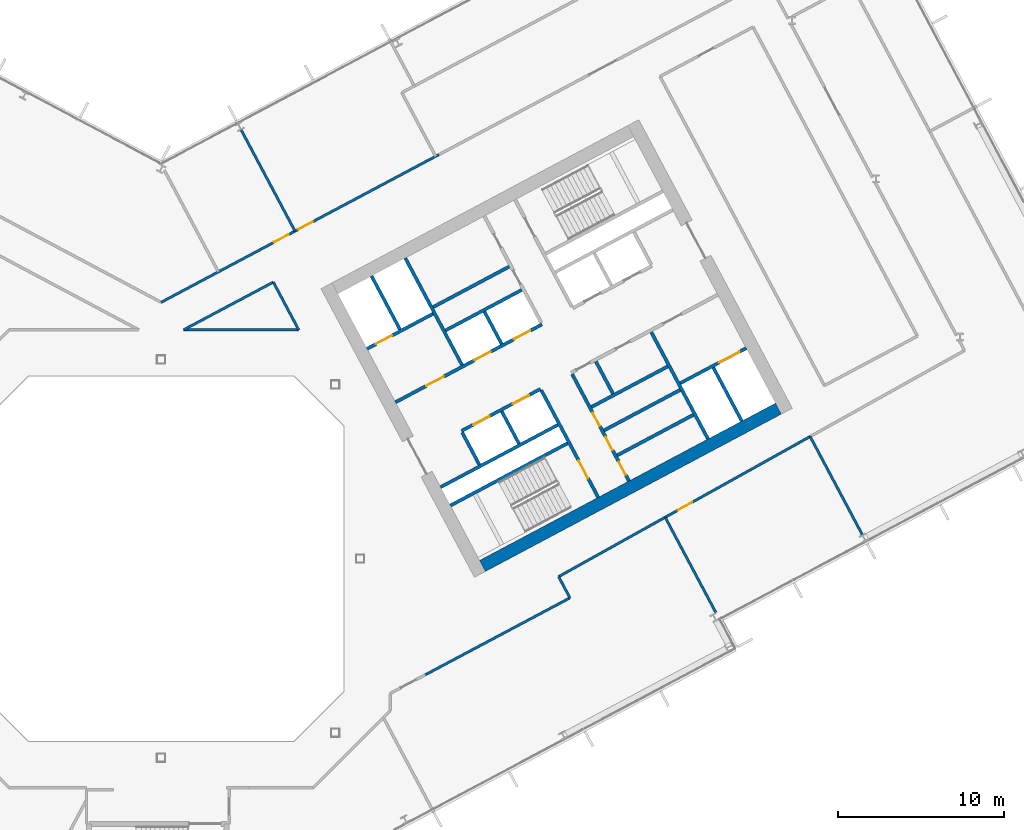
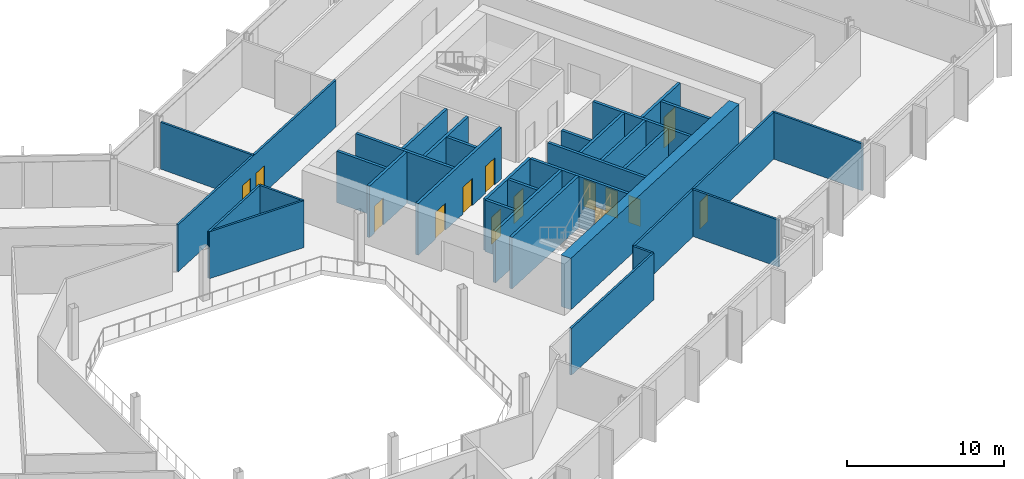
# One storey, part 16 of 28: 32 walls, 14 doors, 14 openings.
"""IFC4 building model written with IfcOpenShell, lengths in metres."""

import ifcopenshell
import ifcopenshell.guid

model = None  # the IFC model being written
_history = None  # IfcOwnerHistory: only IFC2X3 demands one
_inside = {}  # id of a spatial element -> (the spatial element, [elements in it])
_under = {}  # id of a project, library or spatial element -> (it, [spatial elements below it])
_declared = {}  # id of a project -> (the project, [libraries it declares])
_typed = {}  # id of a type object -> (the type object, [elements of that type])
_made_of = {}  # id of a material, layer set ... -> (it, [elements and type objects made of it])


def new_model(schema):
    """Start an empty IFC model of exactly this schema.

    Asked for "IFC4X3", IfcOpenShell would pick the latest addendum, in which some entities
    have other attributes; the version numbers below select the first issue.
    IFC2X3 requires an IfcOwnerHistory on every rooted entity: one is made here for all.
    """
    global model, _history
    if schema == "IFC4X3":
        model = ifcopenshell.file(schema_version=(4, 3, 0, 0))
    else:
        model = ifcopenshell.file(schema=schema)
    _inside.clear()
    _under.clear()
    _declared.clear()
    _typed.clear()
    _made_of.clear()
    _history = None
    if model.schema == "IFC2X3":
        org = make("IfcOrganization", Name="unknown")
        user = make(
            "IfcPersonAndOrganization",
            ThePerson=make("IfcPerson", FamilyName="unknown"),
            TheOrganization=org,
        )
        app = make(
            "IfcApplication",
            ApplicationDeveloper=org,
            Version="unknown",
            ApplicationFullName="unknown",
            ApplicationIdentifier="unknown",
        )
        _history = make(
            "IfcOwnerHistory",
            OwningUser=user,
            OwningApplication=app,
            ChangeAction="ADDED",
            CreationDate=0,
        )
    return model


def make(cls, **values):
    """One entity of the class cls with the attributes given. An attribute that is None is left unset."""
    return model.create_entity(
        cls, **{name: value for name, value in values.items() if value is not None}
    )


def rooted(cls, **values):
    """An entity with a GlobalId (a new one), such as an element, a storey or a relation."""
    return make(cls, GlobalId=ifcopenshell.guid.new(), OwnerHistory=_history, **values)


def si_unit(unit_type, name, prefix=None):
    """IfcSIUnit, for example si_unit("LENGTHUNIT", "METRE", prefix="MILLI")."""
    return make("IfcSIUnit", UnitType=unit_type, Prefix=prefix, Name=name)


def assignment(units):
    """IfcUnitAssignment: the units of a project."""
    return None if units is None else make("IfcUnitAssignment", Units=units)


def point(xyz):
    """IfcCartesianPoint."""
    return None if xyz is None else make("IfcCartesianPoint", Coordinates=xyz)


def direction(xyz):
    """IfcDirection."""
    return None if xyz is None else make("IfcDirection", DirectionRatios=xyz)


def frame(location, z_axis=None, x_axis=None):
    """IfcAxis2Placement3D, a coordinate frame: its origin and axes. An axis left out is left unset."""
    return make(
        "IfcAxis2Placement3D",
        Location=point(location),
        Axis=direction(z_axis),
        RefDirection=direction(x_axis),
    )


def frame_2d(location, x_axis=None):
    """IfcAxis2Placement2D, a coordinate frame in the plane: its origin and x axis."""
    return make(
        "IfcAxis2Placement2D", Location=point(location), RefDirection=direction(x_axis)
    )


def origin():
    """The frame at (0, 0, 0) with its axes left unset."""
    return frame((0.0, 0.0, 0.0))


def place(relative_to, where):
    """IfcLocalPlacement: puts the frame where relative to a parent placement (None: the world)."""
    return make(
        "IfcLocalPlacement", PlacementRelTo=relative_to, RelativePlacement=where
    )


def context(
    kind, dimensions, precision=None, world=None, true_north=None, identifier=None
):
    """IfcGeometricRepresentationContext, for example the 3D "Model" context."""
    return make(
        "IfcGeometricRepresentationContext",
        ContextIdentifier=identifier,
        ContextType=kind,
        CoordinateSpaceDimension=dimensions,
        Precision=precision,
        WorldCoordinateSystem=world,
        TrueNorth=true_north,
    )


def subcontext(parent, identifier, kind, view, scale=None):
    """IfcGeometricRepresentationSubContext, for example "Body" below "Model"."""
    return make(
        "IfcGeometricRepresentationSubContext",
        ContextIdentifier=identifier,
        ContextType=kind,
        ParentContext=parent,
        TargetScale=scale,
        TargetView=view,
    )


def project(units=None, contexts=None):
    """IfcProject with its units and contexts."""
    return rooted(
        "IfcProject",
        Name="project",
        RepresentationContexts=contexts,
        UnitsInContext=assignment(units),
    )


def spatial(cls, under=None, at=None, **own):
    """A site, building, storey or space (cls), placed at a placement, below another one or the project."""
    s = rooted(cls, ObjectPlacement=at, **own)
    if under is not None:
        _under.setdefault(under.id(), (under, []))[1].append(s)
    return s


def profile(cls, at=None, kind="AREA", **sizes):
    """A parametric profile (cls). Its sizes go by their IFC names, for example OverallWidth=200.0."""
    return make(cls, ProfileType=kind, Position=at, **sizes)


def rectangle(**sizes):
    """IfcRectangleProfileDef."""
    return profile("IfcRectangleProfileDef", **sizes)


def extrude(swept, where, along, depth):
    """IfcExtrudedAreaSolid: the profile swept, set in the frame where, extruded along a direction by depth."""
    return make(
        "IfcExtrudedAreaSolid",
        SweptArea=swept,
        Position=where,
        ExtrudedDirection=direction(along),
        Depth=depth,
    )


def shape(context_of_items, identifier, shape_type, items):
    """IfcShapeRepresentation: the items that make up one representation, for example the "Body"."""
    return make(
        "IfcShapeRepresentation",
        ContextOfItems=context_of_items,
        RepresentationIdentifier=identifier,
        RepresentationType=shape_type,
        Items=items,
    )


def material(Name=None, Category=None):
    """IfcMaterial."""
    return make("IfcMaterial", Name=Name, Category=Category)


def layer(
    of_material, thickness, ventilated=None, Name=None, Category=None, Priority=None
):
    """IfcMaterialLayer: one layer of a wall or slab, of a material (None: an air gap)."""
    return make(
        "IfcMaterialLayer",
        Material=of_material,
        LayerThickness=thickness,
        IsVentilated=ventilated,
        Name=Name,
        Category=Category,
        Priority=Priority,
    )


def layer_set(layers, Name=None):
    """IfcMaterialLayerSet."""
    return make("IfcMaterialLayerSet", MaterialLayers=layers, LayerSetName=Name)


def made_of(thing, what):
    """Note that an element or type object is made of a material, layer set ...; save() writes the relation."""
    if what is not None:
        _made_of.setdefault(what.id(), (what, []))[1].append(thing)
    return thing


def type_object(cls, material=None, **own):
    """A type object (cls), such as IfcWallType, which elements share."""
    return made_of(rooted(cls, **own), material)


def element(
    cls,
    number,
    at=None,
    inside=None,
    cuts=None,
    type_object=None,
    material=None,
    context=None,
    identifier="Body",
    shape_type=None,
    held_by="IfcProductDefinitionShape",
    body=None,
    shapes=None,
    **own,
):
    """One element of the class cls, such as IfcWall. Its Tag is "e" and its number.

    at: its placement. inside: the storey or other place that contains it. cuts: it is an
    opening in that element (IfcRelVoidsElement). A single representation is given by context,
    identifier, shape_type and body (its items); several are given by shapes. held_by: the class
    of the entity that holds the representations. save() writes the other relations.
    """
    e = rooted(cls, Tag="e%d" % number, ObjectPlacement=at, **own)
    if body is not None:
        shapes = [shape(context, identifier, shape_type, body)]
    if shapes is not None:
        e.Representation = make(held_by, Representations=shapes)
    if inside is not None:
        _inside.setdefault(inside.id(), (inside, []))[1].append(e)
    if cuts is not None:
        rooted(
            "IfcRelVoidsElement", RelatingBuildingElement=cuts, RelatedOpeningElement=e
        )
    if type_object is not None:
        _typed.setdefault(type_object.id(), (type_object, []))[1].append(e)
    return made_of(e, material)


def fill(opening, filler):
    """IfcRelFillsElement: the door or window that sits in an opening."""
    return rooted(
        "IfcRelFillsElement",
        RelatingOpeningElement=opening,
        RelatedBuildingElement=filler,
    )


def aggregate(whole, parts):
    """IfcRelAggregates: a whole, such as a stair, and the parts it consists of."""
    return rooted("IfcRelAggregates", RelatingObject=whole, RelatedObjects=parts)


def save(model, path):
    """Write the relations noted so far, then the file.

    IfcRelAggregates (storeys below a building ...), IfcRelContainedInSpatialStructure (elements
    in a storey), IfcRelDefinesByType, IfcRelAssociatesMaterial and IfcRelDeclares: one each for
    every whole, place, type object, material and project.
    """
    for whole, parts in _under.values():
        aggregate(whole, parts)
    for where, things in _inside.values():
        rooted(
            "IfcRelContainedInSpatialStructure",
            RelatedElements=things,
            RelatingStructure=where,
        )
    for kind, things in _typed.values():
        rooted("IfcRelDefinesByType", RelatedObjects=things, RelatingType=kind)
    for what, things in _made_of.values():
        rooted("IfcRelAssociatesMaterial", RelatedObjects=things, RelatingMaterial=what)
    for by, libraries in _declared.values():
        rooted("IfcRelDeclares", RelatingContext=by, RelatedDefinitions=libraries)
    model.write(path)


model = new_model("IFC4")

# Units and contexts
model_context = context("Model", 3, precision=1e-05, world=origin(), true_north=direction((0.0, 1.0)))
body_context = subcontext(model_context, "Body", "Model", "MODEL_VIEW")
ifc_project = project(units=[si_unit("LENGTHUNIT", "METRE"), si_unit("AREAUNIT", "SQUARE_METRE"), si_unit("VOLUMEUNIT", "CUBIC_METRE"), si_unit("PLANEANGLEUNIT", "RADIAN"), si_unit("MASSUNIT", "GRAM", prefix="KILO")], contexts=[model_context])

# Site, building, storey
site_placement = place(None, origin())
site = spatial("IfcSite", under=ifc_project, at=site_placement, CompositionType="ELEMENT")
building_placement = place(site_placement, origin())
building = spatial("IfcBuilding", under=site, at=building_placement, Name="Cormorant Relay Tower", CompositionType="ELEMENT")
storey_placement = place(building_placement, frame((0.0, 0.0, 126.199951171875)))
storey = spatial("IfcBuildingStorey", under=building, at=storey_placement, Name="L25", CompositionType="ELEMENT", Elevation=126.199951171875)

# Walls
ifc_material_1 = material(Name="Concrete 40 MPa", Category="concrete")
ifc_layer_1 = layer(ifc_material_1, 0.199951171875)
ifc_layer_set_1 = layer_set([ifc_layer_1], Name="Core internal wall 200")
wall_type_1 = type_object("IfcWallType", Name="Core internal wall 200", PredefinedType="SOLIDWALL", material=ifc_layer_set_1)
for number, where, z_axis, x_axis, name in (
    (1, (21.567626953125, 6.9375, 0.0), (0.0, 0.0, 1.0), (-0.469533832133, 0.882914480843, 0.0), "L25 core B shaft and room wall"),
    (2, (20.522216796875, 12.950439453125, 0.0), (0.0, 0.0, 1.0), (-0.469401318492, 0.882984938828, 0.0), "L25 core B shaft and room wall"),
    (3, (27.236083984375, 9.951416015625, 0.0), (0.0, 0.0, 1.0), (-0.4694473164, 0.882960484464, 0.0), "L25 core B shaft and room wall"),
):
    element("IfcWall", number, at=place(storey_placement, frame(where, z_axis=z_axis, x_axis=x_axis)), inside=storey, type_object=wall_type_1, Name=name, PredefinedType="SOLIDWALL", context=body_context, shape_type="SweptSolid", body=[
        extrude(rectangle(XDim=2.199951171875, YDim=0.199951171875, at=frame_2d((1.10009765625, 0.0))), origin(), (0.0, 0.0, 1.0), 4.0),
    ])
for number, where, z_axis, x_axis, name in (
    (4, (27.490234375, 6.23583984375, 0.0), (0.0, 0.0, 1.0), (0.882953967957, 0.469459572775, 0.0), "L25 core B shaft and room wall"),
    (5, (26.692138671875, 7.73681640625, 0.0), (0.0, 0.0, 1.0), (0.882953967957, 0.469459572775, 0.0), "L25 core B shaft and room wall"),
    (6, (16.395751953125, 15.17333984375, 0.0), (0.0, 0.0, 1.0), (0.882934506056, 0.469496174655, 0.0), "L25 core B shaft and room wall"),
):
    element("IfcWall", number, at=place(storey_placement, frame(where, z_axis=z_axis, x_axis=x_axis)), inside=storey, type_object=wall_type_1, Name=name, PredefinedType="SOLIDWALL", context=body_context, shape_type="SweptSolid", body=[
        extrude(rectangle(XDim=5.199951171875, YDim=0.199951171875, at=frame_2d((2.60009765625, 0.0))), origin(), (0.0, 0.0, 1.0), 4.0),
    ])
ifc_material_2 = material(Name="Concrete 50 MPa", Category="concrete")
ifc_layer_2 = layer(ifc_material_2, 0.199951171875)
ifc_layer_set_2 = layer_set([ifc_layer_2], Name="Core shaft wall 200")
wall_type_2 = type_object("IfcWallType", Name="Core shaft wall 200", PredefinedType="SHEAR", material=ifc_layer_set_2)
wall_1_placement = place(storey_placement, frame((14.39404296875, 13.825927734375, 0.0), z_axis=(0.0, 0.0, 1.0), x_axis=(-0.469494272526, 0.882935517501, 0.0)))
element("IfcWall", 7, at=wall_1_placement, inside=storey, type_object=wall_type_2, Name="L25 core B shaft wall", PredefinedType="SHEAR", context=body_context, shape_type="SweptSolid", body=[
    extrude(rectangle(XDim=3.64990234375, YDim=0.199951171875, at=frame_2d((1.824951171875, 0.0))), origin(), (0.0, 0.0, 1.0), 4.0),
])
wall_2_placement = place(storey_placement, frame((19.18359375, 5.669921875, 0.0), z_axis=(0.0, 0.0, 1.0), x_axis=(-0.4694473164, 0.882960484464, 0.0)))
element("IfcWall", 8, at=wall_2_placement, inside=storey, type_object=wall_type_2, Name="L25 core B shaft wall", PredefinedType="SHEAR", context=body_context, shape_type="SweptSolid", body=[
    extrude(rectangle(XDim=2.199951171875, YDim=0.199951171875, at=frame_2d((1.10009765625, 0.0))), origin(), (0.0, 0.0, 1.0), 4.0),
])
wall_3_placement = place(storey_placement, frame((18.138427734375, 11.682861328125, 0.0), z_axis=(0.0, 0.0, 1.0), x_axis=(-0.469480409012, 0.88294288918, 0.0)))
element("IfcWall", 9, at=wall_3_placement, inside=storey, type_object=wall_type_2, Name="L25 core B shaft wall", PredefinedType="SHEAR", context=body_context, shape_type="SweptSolid", body=[
    extrude(rectangle(XDim=7.300048828125, YDim=0.199951171875, at=frame_2d((3.64990234375, 0.0))), origin(), (0.0, 0.0, 1.0), 4.0),
])

# Wall, opening, door
wall_4_placement = place(storey_placement, frame((26.345947265625, 3.701904296875, 0.0), z_axis=(0.0, 0.0, 1.0), x_axis=(-0.469480409012, 0.88294288918, 0.0)))
wall_4 = element("IfcWall", 10, at=wall_4_placement, inside=storey, type_object=wall_type_2, Name="L25 core B shaft wall", PredefinedType="SHEAR", context=body_context, shape_type="SweptSolid", body=[
    extrude(rectangle(XDim=7.300048828125, YDim=0.199951171875, at=frame_2d((3.64990234375, 0.0))), origin(), (0.0, 0.0, 1.0), 4.0),
])
opening_1_placement = place(wall_4_placement, frame((1.300048828125, 0.0, 0.0)))
opening_1 = element("IfcOpeningElement", 11, at=opening_1_placement, cuts=wall_4, Name="Opening CDB-036", PredefinedType="OPENING", context=body_context, shape_type="SweptSolid", body=[
    extrude(rectangle(XDim=1.199951171875, YDim=2.10009765625, at=frame_2d((0.60009765625, 1.050048828125))), frame((0.0, 0.10986328125, 0.0), z_axis=(0.0, -1.0, 0.0), x_axis=(1.0, 0.0, 0.0)), (0.0, 0.0, 1.0), 0.219970703125),
])
ifc_material_3 = material(Name="Steel fire door", Category="steel")
door_type_1 = type_object("IfcDoorType", Name="Core stair door 1200x2100", OperationType="SINGLE_SWING_LEFT", PredefinedType="DOOR", material=ifc_material_3)
door_1_placement = place(opening_1_placement, origin())
door_1 = element("IfcDoor", 12, at=door_1_placement, inside=storey, type_object=door_type_1, Name="Core stair door 1200x2100", OperationType="SINGLE_SWING_RIGHT", OverallHeight=2.10009765625, OverallWidth=1.199951171875, PredefinedType="DOOR", context=body_context, shape_type="SweptSolid", body=[
    extrude(rectangle(XDim=1.199951171875, YDim=2.10009765625, at=frame_2d((0.60009765625, 1.050048828125))), frame((0.0, 0.02490234375, 0.0), z_axis=(0.0, -1.0, 0.0), x_axis=(1.0, 0.0, 0.0)), (0.0, 0.0, 1.0), 0.050048828125),
])
fill(opening_1, door_1)

# Wall, openings, doors
wall_5_placement = place(storey_placement, frame((28.199951171875, 4.687744140625, 0.0), z_axis=(0.0, 0.0, 1.0), x_axis=(-0.469454336211, 0.882956752176, 0.0)))
wall_5 = element("IfcWall", 13, at=wall_5_placement, inside=storey, type_object=wall_type_2, Name="L25 core B shaft wall", PredefinedType="SHEAR", context=body_context, shape_type="SweptSolid", body=[
    extrude(rectangle(XDim=7.300048828125, YDim=0.199951171875, at=frame_2d((3.64990234375, 0.0))), origin(), (0.0, 0.0, 1.0), 4.0),
])
opening_2_placement = place(wall_5_placement, frame((0.39990234375, 0.0, 0.0)))
opening_2 = element("IfcOpeningElement", 14, at=opening_2_placement, cuts=wall_5, Name="Opening CDD-181", PredefinedType="OPENING", context=body_context, shape_type="SweptSolid", body=[
    extrude(rectangle(XDim=0.89990234375, YDim=2.10009765625, at=frame_2d((0.449951171875, 1.050048828125))), frame((0.0, 0.10986328125, 0.0), z_axis=(0.0, -1.0, 0.0), x_axis=(1.0, 0.0, 0.0)), (0.0, 0.0, 1.0), 0.219970703125),
])
opening_3_placement = place(wall_5_placement, frame((2.10009765625, 0.0, 0.0)))
opening_3 = element("IfcOpeningElement", 15, at=opening_3_placement, cuts=wall_5, Name="Opening CDD-182", PredefinedType="OPENING", context=body_context, shape_type="SweptSolid", body=[
    extrude(rectangle(XDim=0.89990234375, YDim=2.10009765625, at=frame_2d((0.449951171875, 1.050048828125))), frame((0.0, 0.10986328125, 0.0), z_axis=(0.0, -1.0, 0.0), x_axis=(1.0, 0.0, 0.0)), (0.0, 0.0, 1.0), 0.219970703125),
])
opening_4_placement = place(wall_5_placement, frame((3.75, 0.0, 0.0)))
opening_4 = element("IfcOpeningElement", 16, at=opening_4_placement, cuts=wall_5, Name="Opening CDD-183", PredefinedType="OPENING", context=body_context, shape_type="SweptSolid", body=[
    extrude(rectangle(XDim=0.89990234375, YDim=2.10009765625, at=frame_2d((0.449951171875, 1.050048828125))), frame((0.0, 0.10986328125, 0.0), z_axis=(0.0, -1.0, 0.0), x_axis=(1.0, 0.0, 0.0)), (0.0, 0.0, 1.0), 0.219970703125),
])
ifc_material_4 = material(Name="Steel fire door", Category="steel")
door_type_2 = type_object("IfcDoorType", Name="Core room door 900x2100", OperationType="SINGLE_SWING_LEFT", PredefinedType="DOOR", material=ifc_material_4)
door_2_placement = place(opening_2_placement, frame((0.89990234375, 0.0, 0.0), z_axis=(0.0, 0.0, 1.0), x_axis=(-1.0, 0.0, 0.0)))
door_2 = element("IfcDoor", 17, at=door_2_placement, inside=storey, type_object=door_type_2, Name="Core room door 900x2100", OperationType="SINGLE_SWING_LEFT", OverallHeight=2.10009765625, OverallWidth=0.89990234375, PredefinedType="DOOR", context=body_context, shape_type="SweptSolid", body=[
    extrude(rectangle(XDim=0.89990234375, YDim=2.10009765625, at=frame_2d((0.449951171875, 1.050048828125))), frame((0.0, 0.02490234375, 0.0), z_axis=(0.0, -1.0, 0.0), x_axis=(1.0, 0.0, 0.0)), (0.0, 0.0, 1.0), 0.050048828125),
])
fill(opening_2, door_2)
door_3_placement = place(opening_3_placement, frame((0.89990234375, 0.0, 0.0), z_axis=(0.0, 0.0, 1.0), x_axis=(-1.0, 0.0, 0.0)))
door_3 = element("IfcDoor", 18, at=door_3_placement, inside=storey, type_object=door_type_2, Name="Core room door 900x2100", OperationType="SINGLE_SWING_LEFT", OverallHeight=2.10009765625, OverallWidth=0.89990234375, PredefinedType="DOOR", context=body_context, shape_type="SweptSolid", body=[
    extrude(rectangle(XDim=0.89990234375, YDim=2.10009765625, at=frame_2d((0.449951171875, 1.050048828125))), frame((0.0, 0.02490234375, 0.0), z_axis=(0.0, -1.0, 0.0), x_axis=(1.0, 0.0, 0.0)), (0.0, 0.0, 1.0), 0.050048828125),
])
fill(opening_3, door_3)
door_4_placement = place(opening_4_placement, frame((0.89990234375, 0.0, 0.0), z_axis=(0.0, 0.0, 1.0), x_axis=(-1.0, 0.0, 0.0)))
door_4 = element("IfcDoor", 19, at=door_4_placement, inside=storey, type_object=door_type_2, Name="Core room door 900x2100", OperationType="SINGLE_SWING_LEFT", OverallHeight=2.10009765625, OverallWidth=0.89990234375, PredefinedType="DOOR", context=body_context, shape_type="SweptSolid", body=[
    extrude(rectangle(XDim=0.89990234375, YDim=2.10009765625, at=frame_2d((0.449951171875, 1.050048828125))), frame((0.0, 0.02490234375, 0.0), z_axis=(0.0, -1.0, 0.0), x_axis=(1.0, 0.0, 0.0)), (0.0, 0.0, 1.0), 0.050048828125),
])
fill(opening_4, door_4)

# Walls
wall_6_placement = place(storey_placement, frame((32.968017578125, 7.222900390625, 0.0), z_axis=(0.0, 0.0, 1.0), x_axis=(-0.469480409012, 0.88294288918, 0.0)))
element("IfcWall", 20, at=wall_6_placement, inside=storey, type_object=wall_type_2, Name="L25 core B shaft wall", PredefinedType="SHEAR", context=body_context, shape_type="SweptSolid", body=[
    extrude(rectangle(XDim=7.300048828125, YDim=0.199951171875, at=frame_2d((3.64990234375, 0.0))), origin(), (0.0, 0.0, 1.0), 4.0),
])
wall_7_placement = place(storey_placement, frame((34.998779296875, 8.302734375, 0.0), z_axis=(0.0, 0.0, 1.0), x_axis=(-0.4694665462, 0.882950260207, 0.0)))
element("IfcWall", 21, at=wall_7_placement, inside=storey, type_object=wall_type_2, Name="L25 core B shaft wall", PredefinedType="SHEAR", context=body_context, shape_type="SweptSolid", body=[
    extrude(rectangle(XDim=3.650146484375, YDim=0.199951171875, at=frame_2d((1.8251953125, 0.0))), origin(), (0.0, 0.0, 1.0), 4.0),
])
wall_8_placement = place(storey_placement, frame((17.43359375, 3.210205078125, 0.0), z_axis=(0.0, 0.0, 1.0), x_axis=(0.882940221191, 0.469485426614, 0.0)))
element("IfcWall", 22, at=wall_8_placement, inside=storey, type_object=wall_type_2, Name="L25 core B shaft wall", PredefinedType="SHEAR", context=body_context, shape_type="SweptSolid", body=[
    extrude(rectangle(XDim=8.0, YDim=0.199951171875, at=frame_2d((4.0, 0.0))), origin(), (0.0, 0.0, 1.0), 4.0),
])

# Wall, opening, door
wall_9_placement = place(storey_placement, frame((31.295654296875, 10.5810546875, 0.0), z_axis=(0.0, 0.0, 1.0), x_axis=(0.882960433586, 0.469447412093, 0.0)))
wall_9 = element("IfcWall", 23, at=wall_9_placement, inside=storey, type_object=wall_type_2, Name="L25 core B shaft wall", PredefinedType="SHEAR", context=body_context, shape_type="SweptSolid", body=[
    extrude(rectangle(XDim=4.5, YDim=0.199951171875, at=frame_2d((2.25, 0.0))), origin(), (0.0, 0.0, 1.0), 4.0),
])
opening_5_placement = place(wall_9_placement, frame((2.64990234375, 0.0, 0.0)))
opening_5 = element("IfcOpeningElement", 24, at=opening_5_placement, cuts=wall_9, Name="Opening LD3-014", PredefinedType="OPENING", context=body_context, shape_type="SweptSolid", body=[
    extrude(rectangle(XDim=1.39990234375, YDim=2.39990234375, at=frame_2d((0.699951171875, 1.199951171875))), frame((0.0, 0.10986328125, 0.0), z_axis=(0.0, -1.0, 0.0), x_axis=(1.0, 0.0, 0.0)), (0.0, 0.0, 1.0), 0.219970703125),
])
ifc_material_5 = material(Name="Stainless steel 316", Category="steel")
door_type_3 = type_object("IfcDoorType", Name="Lift landing door 1400x2400", OperationType="DOUBLE_DOOR_SLIDING", PredefinedType="DOOR", material=ifc_material_5)
door_5_placement = place(opening_5_placement, origin())
door_5 = element("IfcDoor", 25, at=door_5_placement, inside=storey, type_object=door_type_3, Name="SV2 landing door", OperationType="DOUBLE_DOOR_SLIDING", OverallHeight=2.39990234375, OverallWidth=1.39990234375, PredefinedType="DOOR", context=body_context, shape_type="SweptSolid", body=[
    extrude(rectangle(XDim=1.39990234375, YDim=2.39990234375, at=frame_2d((0.699951171875, 1.199951171875))), frame((0.0, 0.02490234375, 0.0), z_axis=(0.0, -1.0, 0.0), x_axis=(1.0, 0.0, 0.0)), (0.0, 0.0, 1.0), 0.050048828125),
])
fill(opening_5, door_5)

# Walls
wall_10_placement = place(storey_placement, frame((16.8466796875, 4.31396484375, 0.0), z_axis=(0.0, 0.0, 1.0), x_axis=(0.882940221191, 0.469485426614, 0.0)))
element("IfcWall", 26, at=wall_10_placement, inside=storey, type_object=wall_type_2, Name="L25 core B shaft wall", PredefinedType="SHEAR", context=body_context, shape_type="SweptSolid", body=[
    extrude(rectangle(XDim=8.0, YDim=0.199951171875, at=frame_2d((4.0, 0.0))), origin(), (0.0, 0.0, 1.0), 4.0),
])
wall_11_placement = place(storey_placement, frame((25.94091796875, 9.149658203125, 0.0), z_axis=(0.0, 0.0, 1.0), x_axis=(0.882953967957, 0.469459572775, 0.0)))
element("IfcWall", 27, at=wall_11_placement, inside=storey, type_object=wall_type_2, Name="L25 core B shaft wall", PredefinedType="SHEAR", context=body_context, shape_type="SweptSolid", body=[
    extrude(rectangle(XDim=5.199951171875, YDim=0.199951171875, at=frame_2d((2.60009765625, 0.0))), origin(), (0.0, 0.0, 1.0), 4.0),
])

# Wall, openings, doors
wall_12_placement = place(storey_placement, frame((18.103759765625, 7.70068359375, 0.0), z_axis=(0.0, 0.0, 1.0), x_axis=(0.882952937579, 0.469461510692, 0.0)))
wall_12 = element("IfcWall", 28, at=wall_12_placement, inside=storey, type_object=wall_type_2, Name="L25 core B shaft wall", PredefinedType="SHEAR", context=body_context, shape_type="SweptSolid", body=[
    extrude(rectangle(XDim=5.400146484375, YDim=0.199951171875, at=frame_2d((2.7001953125, 0.0))), origin(), (0.0, 0.0, 1.0), 4.0),
])
opening_6_placement = place(wall_12_placement, frame((0.800048828125, 0.0, 0.0)))
opening_6 = element("IfcOpeningElement", 29, at=opening_6_placement, cuts=wall_12, Name="Opening LD1-048", PredefinedType="OPENING", context=body_context, shape_type="SweptSolid", body=[
    extrude(rectangle(XDim=1.10009765625, YDim=2.10009765625, at=frame_2d((0.550048828125, 1.050048828125))), frame((0.0, 0.10986328125, 0.0), z_axis=(0.0, -1.0, 0.0), x_axis=(1.0, 0.0, 0.0)), (0.0, 0.0, 1.0), 0.219970703125),
])
opening_7_placement = place(wall_12_placement, frame((3.5, 0.0, 0.0)))
opening_7 = element("IfcOpeningElement", 30, at=opening_7_placement, cuts=wall_12, Name="Opening LD1-049", PredefinedType="OPENING", context=body_context, shape_type="SweptSolid", body=[
    extrude(rectangle(XDim=1.10009765625, YDim=2.10009765625, at=frame_2d((0.550048828125, 1.050048828125))), frame((0.0, 0.10986328125, 0.0), z_axis=(0.0, -1.0, 0.0), x_axis=(1.0, 0.0, 0.0)), (0.0, 0.0, 1.0), 0.219970703125),
])
ifc_material_6 = material(Name="Stainless steel 316", Category="steel")
door_type_4 = type_object("IfcDoorType", Name="Lift landing door 1100x2100", OperationType="DOUBLE_DOOR_SLIDING", PredefinedType="DOOR", material=ifc_material_6)
door_6_placement = place(opening_6_placement, origin())
door_6 = element("IfcDoor", 31, at=door_6_placement, inside=storey, type_object=door_type_4, Name="LR5 landing door", OperationType="DOUBLE_DOOR_SLIDING", OverallHeight=2.10009765625, OverallWidth=1.10009765625, PredefinedType="DOOR", context=body_context, shape_type="SweptSolid", body=[
    extrude(rectangle(XDim=1.10009765625, YDim=2.10009765625, at=frame_2d((0.550048828125, 1.050048828125))), frame((0.0, 0.02490234375, 0.0), z_axis=(0.0, -1.0, 0.0), x_axis=(1.0, 0.0, 0.0)), (0.0, 0.0, 1.0), 0.050048828125),
])
fill(opening_6, door_6)
door_7_placement = place(opening_7_placement, origin())
door_7 = element("IfcDoor", 32, at=door_7_placement, inside=storey, type_object=door_type_4, Name="LR6 landing door", OperationType="DOUBLE_DOOR_SLIDING", OverallHeight=2.10009765625, OverallWidth=1.10009765625, PredefinedType="DOOR", context=body_context, shape_type="SweptSolid", body=[
    extrude(rectangle(XDim=1.10009765625, YDim=2.10009765625, at=frame_2d((0.550048828125, 1.050048828125))), frame((0.0, 0.02490234375, 0.0), z_axis=(0.0, -1.0, 0.0), x_axis=(1.0, 0.0, 0.0)), (0.0, 0.0, 1.0), 0.050048828125),
])
fill(opening_7, door_7)

wall_13_placement = place(storey_placement, frame((14.123779296875, 9.43505859375, 0.0), z_axis=(0.0, 0.0, 1.0), x_axis=(0.882940221191, 0.469485426614, 0.0)))
wall_13 = element("IfcWall", 33, at=wall_13_placement, inside=storey, type_object=wall_type_2, Name="L25 core B shaft wall", PredefinedType="SHEAR", context=body_context, shape_type="SweptSolid", body=[
    extrude(rectangle(XDim=10.0, YDim=0.199951171875, at=frame_2d((5.0, 0.0))), origin(), (0.0, 0.0, 1.0), 4.0),
])
opening_8_placement = place(wall_13_placement, frame((2.10009765625, 0.0, 0.0)))
opening_8 = element("IfcOpeningElement", 34, at=opening_8_placement, cuts=wall_13, Name="Opening CDC-027", PredefinedType="OPENING", context=body_context, shape_type="SweptSolid", body=[
    extrude(rectangle(XDim=1.199951171875, YDim=2.10009765625, at=frame_2d((0.60009765625, 1.050048828125))), frame((0.0, 0.10986328125, 0.0), z_axis=(0.0, -1.0, 0.0), x_axis=(1.0, 0.0, 0.0)), (0.0, 0.0, 1.0), 0.219970703125),
])
opening_9_placement = place(wall_13_placement, frame((5.39990234375, 0.0, 0.0)))
opening_9 = element("IfcOpeningElement", 35, at=opening_9_placement, cuts=wall_13, Name="Opening LD1-044", PredefinedType="OPENING", context=body_context, shape_type="SweptSolid", body=[
    extrude(rectangle(XDim=1.10009765625, YDim=2.10009765625, at=frame_2d((0.550048828125, 1.050048828125))), frame((0.0, 0.10986328125, 0.0), z_axis=(0.0, -1.0, 0.0), x_axis=(1.0, 0.0, 0.0)), (0.0, 0.0, 1.0), 0.219970703125),
])
opening_10_placement = place(wall_13_placement, frame((8.10009765625, 0.0, 0.0)))
opening_10 = element("IfcOpeningElement", 36, at=opening_10_placement, cuts=wall_13, Name="Opening LD1-045", PredefinedType="OPENING", context=body_context, shape_type="SweptSolid", body=[
    extrude(rectangle(XDim=1.10009765625, YDim=2.10009765625, at=frame_2d((0.550048828125, 1.050048828125))), frame((0.0, 0.10986328125, 0.0), z_axis=(0.0, -1.0, 0.0), x_axis=(1.0, 0.0, 0.0)), (0.0, 0.0, 1.0), 0.219970703125),
])
ifc_material_7 = material(Name="Steel fire door", Category="steel")
door_type_5 = type_object("IfcDoorType", Name="Core lobby door 1200x2100", OperationType="SINGLE_SWING_LEFT", PredefinedType="DOOR", material=ifc_material_7)
door_8_placement = place(opening_8_placement, origin())
door_8 = element("IfcDoor", 37, at=door_8_placement, inside=storey, type_object=door_type_5, Name="Core lobby door 1200x2100", OperationType="SINGLE_SWING_RIGHT", OverallHeight=2.10009765625, OverallWidth=1.199951171875, PredefinedType="DOOR", context=body_context, shape_type="SweptSolid", body=[
    extrude(rectangle(XDim=1.199951171875, YDim=2.10009765625, at=frame_2d((0.60009765625, 1.050048828125))), frame((0.0, 0.02490234375, 0.0), z_axis=(0.0, -1.0, 0.0), x_axis=(1.0, 0.0, 0.0)), (0.0, 0.0, 1.0), 0.050048828125),
])
fill(opening_8, door_8)
door_9_placement = place(opening_9_placement, origin())
door_9 = element("IfcDoor", 38, at=door_9_placement, inside=storey, type_object=door_type_4, Name="LR1 landing door", OperationType="DOUBLE_DOOR_SLIDING", OverallHeight=2.10009765625, OverallWidth=1.10009765625, PredefinedType="DOOR", context=body_context, shape_type="SweptSolid", body=[
    extrude(rectangle(XDim=1.10009765625, YDim=2.10009765625, at=frame_2d((0.550048828125, 1.050048828125))), frame((0.0, 0.02490234375, 0.0), z_axis=(0.0, -1.0, 0.0), x_axis=(1.0, 0.0, 0.0)), (0.0, 0.0, 1.0), 0.050048828125),
])
fill(opening_9, door_9)
door_10_placement = place(opening_10_placement, origin())
door_10 = element("IfcDoor", 39, at=door_10_placement, inside=storey, type_object=door_type_4, Name="LR2 landing door", OperationType="DOUBLE_DOOR_SLIDING", OverallHeight=2.10009765625, OverallWidth=1.10009765625, PredefinedType="DOOR", context=body_context, shape_type="SweptSolid", body=[
    extrude(rectangle(XDim=1.10009765625, YDim=2.10009765625, at=frame_2d((0.550048828125, 1.050048828125))), frame((0.0, 0.02490234375, 0.0), z_axis=(0.0, -1.0, 0.0), x_axis=(1.0, 0.0, 0.0)), (0.0, 0.0, 1.0), 0.050048828125),
])
fill(opening_10, door_10)

# Wall
wall_14_placement = place(storey_placement, frame((17.146728515625, 13.7607421875, 0.0), z_axis=(0.0, 0.0, 1.0), x_axis=(0.882964314875, 0.469440111896, 0.0)))
element("IfcWall", 40, at=wall_14_placement, inside=storey, type_object=wall_type_2, Name="L25 core B shaft wall", PredefinedType="SHEAR", context=body_context, shape_type="SweptSolid", body=[
    extrude(rectangle(XDim=5.2001953125, YDim=0.199951171875, at=frame_2d((2.60009765625, 0.0))), origin(), (0.0, 0.0, 1.0), 4.0),
])

# Wall, opening, door
wall_15_placement = place(storey_placement, frame((12.41015625, 12.657958984375, 0.0), z_axis=(0.0, 0.0, 1.0), x_axis=(0.8829484765, 0.469469900894, 0.0)))
wall_15 = element("IfcWall", 41, at=wall_15_placement, inside=storey, type_object=wall_type_2, Name="L25 core B shaft wall", PredefinedType="SHEAR", context=body_context, shape_type="SweptSolid", body=[
    extrude(rectangle(XDim=4.499755859375, YDim=0.199951171875, at=frame_2d((2.25, 0.0))), origin(), (0.0, 0.0, 1.0), 4.0),
])
opening_11_placement = place(wall_15_placement, frame((0.60009765625, 0.0, 0.0)))
opening_11 = element("IfcOpeningElement", 42, at=opening_11_placement, cuts=wall_15, Name="Opening LD1-050", PredefinedType="OPENING", context=body_context, shape_type="SweptSolid", body=[
    extrude(rectangle(XDim=1.10009765625, YDim=2.10009765625, at=frame_2d((0.550048828125, 1.050048828125))), frame((0.0, 0.10986328125, 0.0), z_axis=(0.0, -1.0, 0.0), x_axis=(1.0, 0.0, 0.0)), (0.0, 0.0, 1.0), 0.219970703125),
])
door_11_placement = place(opening_11_placement, origin())
door_11 = element("IfcDoor", 43, at=door_11_placement, inside=storey, type_object=door_type_4, Name="FF2 landing door", OperationType="DOUBLE_DOOR_SLIDING", OverallHeight=2.10009765625, OverallWidth=1.10009765625, PredefinedType="DOOR", context=body_context, shape_type="SweptSolid", body=[
    extrude(rectangle(XDim=1.10009765625, YDim=2.10009765625, at=frame_2d((0.550048828125, 1.050048828125))), frame((0.0, 0.02490234375, 0.0), z_axis=(0.0, -1.0, 0.0), x_axis=(1.0, 0.0, 0.0)), (0.0, 0.0, 1.0), 0.050048828125),
])
fill(opening_11, door_11)

# Wall
ifc_material_8 = material(Name="Concrete 60 MPa", Category="concrete")
ifc_layer_3 = layer(ifc_material_8, 0.75)
ifc_layer_set_3 = layer_set([ifc_layer_3], Name="Core wall 750")
wall_type_3 = type_object("IfcWallType", Name="Core wall 750", PredefinedType="SHEAR", material=ifc_layer_set_3)
wall_16_placement = place(storey_placement, frame((19.3701171875, -0.431884765625, 0.0), z_axis=(0.0, 0.0, 1.0), x_axis=(0.88294509198, 0.469476266226, 0.0)))
element("IfcWall", 44, at=wall_16_placement, inside=storey, type_object=wall_type_3, Name="L25 core B wall", PredefinedType="SHEAR", context=body_context, shape_type="SweptSolid", body=[
    extrude(rectangle(XDim=20.199951171875, YDim=0.75, at=frame_2d((10.10009765625, 0.0))), origin(), (0.0, 0.0, 1.0), 4.0),
])

# Wall, openings, doors
ifc_material_9 = material(Name="Gypsum board fire partition")
ifc_layer_4 = layer(ifc_material_9, 0.14990234375)
ifc_layer_set_4 = layer_set([ifc_layer_4], Name="Corridor partition 150 EI 60")
wall_type_4 = type_object("IfcWallType", Name="Corridor partition 150 EI 60", PredefinedType="PARTITIONING", material=ifc_layer_set_4)
wall_17_placement = place(storey_placement, frame((0.0, 15.4599609375, 0.0), z_axis=(0.0, 0.0, 1.0), x_axis=(0.882952116052, 0.469463055798, 0.0)))
wall_17 = element("IfcWall", 45, at=wall_17_placement, inside=storey, type_object=wall_type_4, Name="wall/L25/part/034", PredefinedType="PARTITIONING", context=body_context, shape_type="SweptSolid", body=[
    extrude(rectangle(XDim=18.960205078125, YDim=0.14990234375, at=frame_2d((9.47998046875, 0.0))), origin(), (0.0, 0.0, 1.0), 3.64013671875),
])
opening_12_placement = place(wall_17_placement, frame((9.35009765625, 0.0, 0.0)))
opening_12 = element("IfcOpeningElement", 46, at=opening_12_placement, cuts=wall_17, Name="Opening DS-005", PredefinedType="OPENING", context=body_context, shape_type="SweptSolid", body=[
    extrude(rectangle(XDim=1.0, YDim=2.10009765625, at=frame_2d((0.5, 1.050048828125))), frame((0.0, 0.0849609375, 0.0), z_axis=(0.0, -1.0, 0.0), x_axis=(1.0, 0.0, 0.0)), (0.0, 0.0, 1.0), 0.169921875),
])
opening_13_placement = place(wall_17_placement, frame((7.699951171875, 0.0, 0.0)))
opening_13 = element("IfcOpeningElement", 47, at=opening_13_placement, cuts=wall_17, Name="Opening DS-006", PredefinedType="OPENING", context=body_context, shape_type="SweptSolid", body=[
    extrude(rectangle(XDim=1.0, YDim=2.10009765625, at=frame_2d((0.5, 1.050048828125))), frame((0.0, 0.0849609375, 0.0), z_axis=(0.0, -1.0, 0.0), x_axis=(1.0, 0.0, 0.0)), (0.0, 0.0, 1.0), 0.169921875),
])
ifc_material_10 = material(Name="Timber door leaf", Category="wood")
door_type_6 = type_object("IfcDoorType", Name="Suite door 1000x2100", OperationType="SINGLE_SWING_LEFT", PredefinedType="DOOR", material=ifc_material_10)
door_12_placement = place(opening_12_placement, origin())
door_12 = element("IfcDoor", 48, at=door_12_placement, inside=storey, type_object=door_type_6, Name="door/L25/008", OperationType="SINGLE_SWING_LEFT", OverallHeight=2.10009765625, OverallWidth=1.0, PredefinedType="DOOR", context=body_context, shape_type="SweptSolid", body=[
    extrude(rectangle(XDim=1.0, YDim=2.10009765625, at=frame_2d((0.5, 1.050048828125))), frame((0.0, 0.02490234375, 0.0), z_axis=(0.0, -1.0, 0.0), x_axis=(1.0, 0.0, 0.0)), (0.0, 0.0, 1.0), 0.050048828125),
])
fill(opening_12, door_12)
door_13_placement = place(opening_13_placement, origin())
door_13 = element("IfcDoor", 49, at=door_13_placement, inside=storey, type_object=door_type_6, Name="door/L25/009", OperationType="SINGLE_SWING_RIGHT", OverallHeight=2.10009765625, OverallWidth=1.0, PredefinedType="DOOR", context=body_context, shape_type="SweptSolid", body=[
    extrude(rectangle(XDim=1.0, YDim=2.10009765625, at=frame_2d((0.5, 1.050048828125))), frame((0.0, 0.02490234375, 0.0), z_axis=(0.0, -1.0, 0.0), x_axis=(1.0, 0.0, 0.0)), (0.0, 0.0, 1.0), 0.050048828125),
])
fill(opening_13, door_13)

# Walls
wall_18_placement = place(storey_placement, frame((23.9609375, -1.0791015625, 0.0), z_axis=(0.0, 0.0, 1.0), x_axis=(0.469590610022, -0.882884284025, 0.0)))
element("IfcWall", 50, at=wall_18_placement, inside=storey, type_object=wall_type_4, Name="wall/L25/part/059", PredefinedType="PARTITIONING", context=body_context, shape_type="SweptSolid", body=[
    extrude(rectangle(XDim=1.448486328125, YDim=0.14990234375, at=frame_2d((0.72412109375, 0.0))), origin(), (0.0, 0.0, 1.0), 3.64013671875),
])
wall_19_placement = place(storey_placement, frame((24.64111328125, -2.35791015625, 0.0), z_axis=(0.0, 0.0, 1.0), x_axis=(-0.882939162052, -0.469487418484, 0.0)))
element("IfcWall", 51, at=wall_19_placement, inside=storey, type_object=wall_type_4, Name="wall/L25/part/060", PredefinedType="PARTITIONING", context=body_context, shape_type="SweptSolid", body=[
    extrude(rectangle(XDim=9.868408203125, YDim=0.14990234375, at=frame_2d((4.93408203125, 0.0))), origin(), (0.0, 0.0, 1.0), 3.64013671875),
])

# Wall, opening, door
wall_20_placement = place(storey_placement, frame((39.136962890625, 7.3779296875, 0.0), z_axis=(0.0, 0.0, 1.0), x_axis=(-0.873590594154, -0.486661559819, 0.0)))
wall_20 = element("IfcWall", 52, at=wall_20_placement, inside=storey, type_object=wall_type_4, Name="wall/L25/part/064", PredefinedType="PARTITIONING", context=body_context, shape_type="SweptSolid", body=[
    extrude(rectangle(XDim=17.373046875, YDim=0.14990234375, at=frame_2d((8.6865234375, 0.0))), origin(), (0.0, 0.0, 1.0), 3.64013671875),
])
opening_14_placement = place(wall_20_placement, frame((8.15087890625, 0.0, 0.0)))
opening_14 = element("IfcOpeningElement", 53, at=opening_14_placement, cuts=wall_20, Name="Opening DS-004", PredefinedType="OPENING", context=body_context, shape_type="SweptSolid", body=[
    extrude(rectangle(XDim=1.0, YDim=2.10009765625, at=frame_2d((0.5, 1.050048828125))), frame((0.0, 0.0849609375, 0.0), z_axis=(0.0, -1.0, 0.0), x_axis=(1.0, 0.0, 0.0)), (0.0, 0.0, 1.0), 0.169921875),
])
door_14_placement = place(opening_14_placement, origin())
door_14 = element("IfcDoor", 54, at=door_14_placement, inside=storey, type_object=door_type_6, Name="door/L25/005", OperationType="SINGLE_SWING_RIGHT", OverallHeight=2.10009765625, OverallWidth=1.0, PredefinedType="DOOR", context=body_context, shape_type="SweptSolid", body=[
    extrude(rectangle(XDim=1.0, YDim=2.10009765625, at=frame_2d((0.5, 1.050048828125))), frame((0.0, 0.02490234375, 0.0), z_axis=(0.0, -1.0, 0.0), x_axis=(1.0, 0.0, 0.0)), (0.0, 0.0, 1.0), 0.050048828125),
])
fill(opening_14, door_14)

# Walls
wall_21_placement = place(storey_placement, frame((1.35205078125, 13.800048828125, 0.0), z_axis=(0.0, 0.0, 1.0), x_axis=(1.0, 0.0, 0.0)))
element("IfcWall", 55, at=wall_21_placement, inside=storey, type_object=wall_type_4, Name="wall/L25/part/080", PredefinedType="PARTITIONING", context=body_context, shape_type="SweptSolid", body=[
    extrude(rectangle(XDim=6.93994140625, YDim=0.14990234375, at=frame_2d((3.469970703125, 0.0))), origin(), (0.0, 0.0, 1.0), 3.64013671875),
])
wall_22_placement = place(storey_placement, frame((8.2919921875, 13.800048828125, 0.0), z_axis=(0.0, 0.0, 1.0), x_axis=(-0.469549600855, 0.882906094858, 0.0)))
element("IfcWall", 56, at=wall_22_placement, inside=storey, type_object=wall_type_4, Name="wall/L25/part/081", PredefinedType="PARTITIONING", context=body_context, shape_type="SweptSolid", body=[
    extrude(rectangle(XDim=3.258544921875, YDim=0.14990234375, at=frame_2d((1.62939453125, 0.0))), origin(), (0.0, 0.0, 1.0), 3.64013671875),
])
wall_23_placement = place(storey_placement, frame((6.761962890625, 16.677001953125, 0.0), z_axis=(0.0, 0.0, 1.0), x_axis=(-0.882917024124, -0.469529049699, 0.0)))
element("IfcWall", 57, at=wall_23_placement, inside=storey, type_object=wall_type_4, Name="wall/L25/part/082", PredefinedType="PARTITIONING", context=body_context, shape_type="SweptSolid", body=[
    extrude(rectangle(XDim=6.127197265625, YDim=0.14990234375, at=frame_2d((3.0634765625, 0.0))), origin(), (0.0, 0.0, 1.0), 3.64013671875),
])
ifc_material_11 = material(Name="Gypsum board partition")
ifc_layer_5 = layer(ifc_material_11, 0.14990234375)
ifc_layer_set_5 = layer_set([ifc_layer_5], Name="Tenant partition 150")
wall_type_5 = type_object("IfcWallType", Name="Tenant partition 150", PredefinedType="PARTITIONING", material=ifc_layer_set_5)
wall_24_placement = place(storey_placement, frame((4.822021484375, 25.85302734375, 0.0), z_axis=(0.0, 0.0, 1.0), x_axis=(0.46953215053, -0.882915375117, 0.0)))
element("IfcWall", 58, at=wall_24_placement, inside=storey, type_object=wall_type_5, Name="wall/L25/part/044", PredefinedType="PARTITIONING", context=body_context, shape_type="SweptSolid", body=[
    extrude(rectangle(XDim=6.91357421875, YDim=0.14990234375, at=frame_2d((3.456787109375, 0.0))), origin(), (0.0, 0.0, 1.0), 3.64013671875),
])
wall_25_placement = place(storey_placement, frame((30.383056640625, 2.5009765625, 0.0), z_axis=(0.0, 0.0, 1.0), x_axis=(0.469417215036, -0.882976487925, 0.0)))
element("IfcWall", 59, at=wall_25_placement, inside=storey, type_object=wall_type_5, Name="wall/L25/part/063", PredefinedType="PARTITIONING", context=body_context, shape_type="SweptSolid", body=[
    extrude(rectangle(XDim=6.494873046875, YDim=0.14990234375, at=frame_2d((3.24755859375, 0.0))), origin(), (0.0, 0.0, 1.0), 3.64013671875),
])
wall_26_placement = place(storey_placement, frame((39.1201171875, 7.368896484375, 0.0), z_axis=(0.0, 0.0, 1.0), x_axis=(0.469275929095, -0.88305158534, 0.0)))
element("IfcWall", 60, at=wall_26_placement, inside=storey, type_object=wall_type_5, Name="wall/L25/part/065", PredefinedType="PARTITIONING", context=body_context, shape_type="SweptSolid", body=[
    extrude(rectangle(XDim=6.703857421875, YDim=0.14990234375, at=frame_2d((3.35205078125, 0.0))), origin(), (0.0, 0.0, 1.0), 3.64013671875),
])

save(model, "model.ifc")
